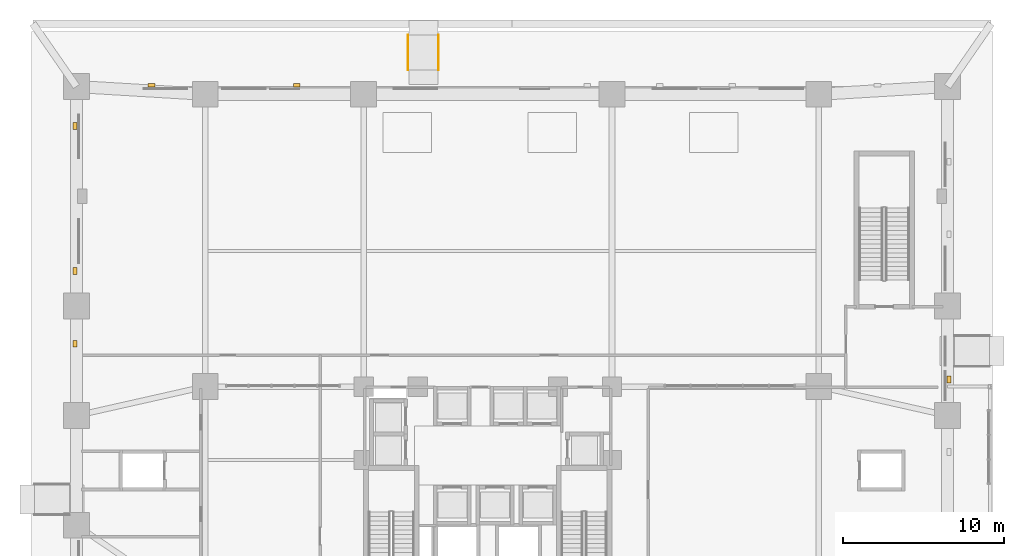
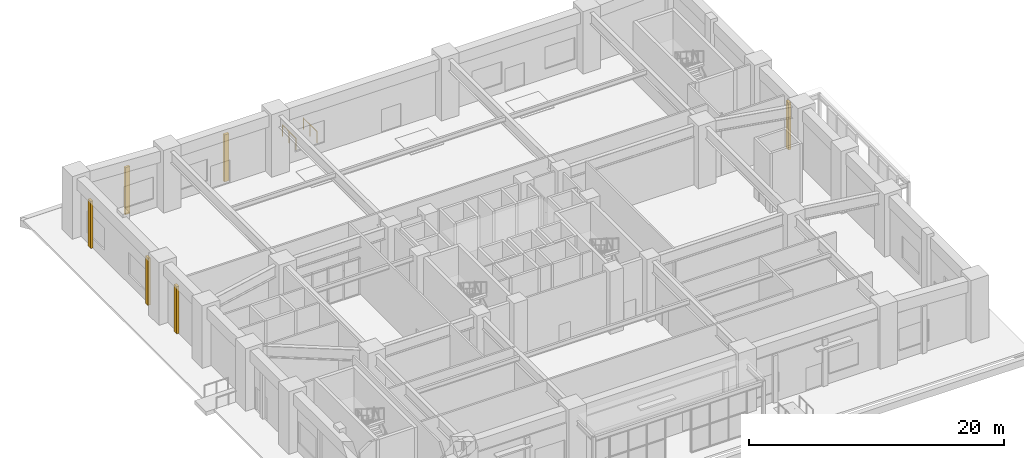
# One storey, part 22 of 24: 6 coverings, 2 railings.
"""IFC4 building model written with IfcOpenShell, lengths in metres."""

import ifcopenshell
import ifcopenshell.guid

model = None  # the IFC model being written
_history = None  # IfcOwnerHistory: only IFC2X3 demands one
_inside = {}  # id of a spatial element -> (the spatial element, [elements in it])
_under = {}  # id of a project, library or spatial element -> (it, [spatial elements below it])
_declared = {}  # id of a project -> (the project, [libraries it declares])
_typed = {}  # id of a type object -> (the type object, [elements of that type])
_made_of = {}  # id of a material, layer set ... -> (it, [elements and type objects made of it])


def new_model(schema):
    """Start an empty IFC model of exactly this schema.

    Asked for "IFC4X3", IfcOpenShell would pick the latest addendum, in which some entities
    have other attributes; the version numbers below select the first issue.
    IFC2X3 requires an IfcOwnerHistory on every rooted entity: one is made here for all.
    """
    global model, _history
    if schema == "IFC4X3":
        model = ifcopenshell.file(schema_version=(4, 3, 0, 0))
    else:
        model = ifcopenshell.file(schema=schema)
    _inside.clear()
    _under.clear()
    _declared.clear()
    _typed.clear()
    _made_of.clear()
    _history = None
    if model.schema == "IFC2X3":
        org = make("IfcOrganization", Name="unknown")
        user = make(
            "IfcPersonAndOrganization",
            ThePerson=make("IfcPerson", FamilyName="unknown"),
            TheOrganization=org,
        )
        app = make(
            "IfcApplication",
            ApplicationDeveloper=org,
            Version="unknown",
            ApplicationFullName="unknown",
            ApplicationIdentifier="unknown",
        )
        _history = make(
            "IfcOwnerHistory",
            OwningUser=user,
            OwningApplication=app,
            ChangeAction="ADDED",
            CreationDate=0,
        )
    return model


def make(cls, **values):
    """One entity of the class cls with the attributes given. An attribute that is None is left unset."""
    return model.create_entity(
        cls, **{name: value for name, value in values.items() if value is not None}
    )


def rooted(cls, **values):
    """An entity with a GlobalId (a new one), such as an element, a storey or a relation."""
    return make(cls, GlobalId=ifcopenshell.guid.new(), OwnerHistory=_history, **values)


def si_unit(unit_type, name, prefix=None):
    """IfcSIUnit, for example si_unit("LENGTHUNIT", "METRE", prefix="MILLI")."""
    return make("IfcSIUnit", UnitType=unit_type, Prefix=prefix, Name=name)


def derived_unit(unit_type, elements):
    """IfcDerivedUnit: a product of units, each with its exponent."""
    return make(
        "IfcDerivedUnit",
        Elements=[
            make("IfcDerivedUnitElement", Unit=unit, Exponent=power)
            for unit, power in elements
        ],
        UnitType=unit_type,
    )


def assignment(units):
    """IfcUnitAssignment: the units of a project."""
    return None if units is None else make("IfcUnitAssignment", Units=units)


def point(xyz):
    """IfcCartesianPoint."""
    return None if xyz is None else make("IfcCartesianPoint", Coordinates=xyz)


def direction(xyz):
    """IfcDirection."""
    return None if xyz is None else make("IfcDirection", DirectionRatios=xyz)


def frame(location, z_axis=None, x_axis=None):
    """IfcAxis2Placement3D, a coordinate frame: its origin and axes. An axis left out is left unset."""
    return make(
        "IfcAxis2Placement3D",
        Location=point(location),
        Axis=direction(z_axis),
        RefDirection=direction(x_axis),
    )


def frame_2d(location, x_axis=None):
    """IfcAxis2Placement2D, a coordinate frame in the plane: its origin and x axis."""
    return make(
        "IfcAxis2Placement2D", Location=point(location), RefDirection=direction(x_axis)
    )


def origin():
    """The frame at (0, 0, 0) with its axes left unset."""
    return frame((0.0, 0.0, 0.0))


def origin_2d():
    """The frame at (0, 0) in the plane with its x axis left unset."""
    return frame_2d((0.0, 0.0))


def place(relative_to, where):
    """IfcLocalPlacement: puts the frame where relative to a parent placement (None: the world)."""
    return make(
        "IfcLocalPlacement", PlacementRelTo=relative_to, RelativePlacement=where
    )


def context(
    kind, dimensions, precision=None, world=None, true_north=None, identifier=None
):
    """IfcGeometricRepresentationContext, for example the 3D "Model" context."""
    return make(
        "IfcGeometricRepresentationContext",
        ContextIdentifier=identifier,
        ContextType=kind,
        CoordinateSpaceDimension=dimensions,
        Precision=precision,
        WorldCoordinateSystem=world,
        TrueNorth=true_north,
    )


def subcontext(parent, identifier, kind, view, scale=None):
    """IfcGeometricRepresentationSubContext, for example "Body" below "Model"."""
    return make(
        "IfcGeometricRepresentationSubContext",
        ContextIdentifier=identifier,
        ContextType=kind,
        ParentContext=parent,
        TargetScale=scale,
        TargetView=view,
    )


def project(units=None, contexts=None):
    """IfcProject with its units and contexts."""
    return rooted(
        "IfcProject",
        Name="project",
        RepresentationContexts=contexts,
        UnitsInContext=assignment(units),
    )


def spatial(cls, under=None, at=None, **own):
    """A site, building, storey or space (cls), placed at a placement, below another one or the project."""
    s = rooted(cls, ObjectPlacement=at, **own)
    if under is not None:
        _under.setdefault(under.id(), (under, []))[1].append(s)
    return s


def profile(cls, at=None, kind="AREA", **sizes):
    """A parametric profile (cls). Its sizes go by their IFC names, for example OverallWidth=200.0."""
    return make(cls, ProfileType=kind, Position=at, **sizes)


def rectangle(**sizes):
    """IfcRectangleProfileDef."""
    return profile("IfcRectangleProfileDef", **sizes)


def circle(**sizes):
    """IfcCircleProfileDef."""
    return profile("IfcCircleProfileDef", **sizes)


def extrude(swept, where, along, depth):
    """IfcExtrudedAreaSolid: the profile swept, set in the frame where, extruded along a direction by depth."""
    return make(
        "IfcExtrudedAreaSolid",
        SweptArea=swept,
        Position=where,
        ExtrudedDirection=direction(along),
        Depth=depth,
    )


def shape(context_of_items, identifier, shape_type, items):
    """IfcShapeRepresentation: the items that make up one representation, for example the "Body"."""
    return make(
        "IfcShapeRepresentation",
        ContextOfItems=context_of_items,
        RepresentationIdentifier=identifier,
        RepresentationType=shape_type,
        Items=items,
    )


def material(Name=None, Category=None):
    """IfcMaterial."""
    return make("IfcMaterial", Name=Name, Category=Category)


def layer(
    of_material, thickness, ventilated=None, Name=None, Category=None, Priority=None
):
    """IfcMaterialLayer: one layer of a wall or slab, of a material (None: an air gap)."""
    return make(
        "IfcMaterialLayer",
        Material=of_material,
        LayerThickness=thickness,
        IsVentilated=ventilated,
        Name=Name,
        Category=Category,
        Priority=Priority,
    )


def layer_set(layers, Name=None):
    """IfcMaterialLayerSet."""
    return make("IfcMaterialLayerSet", MaterialLayers=layers, LayerSetName=Name)


def made_of(thing, what):
    """Note that an element or type object is made of a material, layer set ...; save() writes the relation."""
    if what is not None:
        _made_of.setdefault(what.id(), (what, []))[1].append(thing)
    return thing


def type_object(cls, material=None, **own):
    """A type object (cls), such as IfcWallType, which elements share."""
    return made_of(rooted(cls, **own), material)


def element(
    cls,
    number,
    at=None,
    inside=None,
    cuts=None,
    type_object=None,
    material=None,
    context=None,
    identifier="Body",
    shape_type=None,
    held_by="IfcProductDefinitionShape",
    body=None,
    shapes=None,
    **own,
):
    """One element of the class cls, such as IfcWall. Its Tag is "e" and its number.

    at: its placement. inside: the storey or other place that contains it. cuts: it is an
    opening in that element (IfcRelVoidsElement). A single representation is given by context,
    identifier, shape_type and body (its items); several are given by shapes. held_by: the class
    of the entity that holds the representations. save() writes the other relations.
    """
    e = rooted(cls, Tag="e%d" % number, ObjectPlacement=at, **own)
    if body is not None:
        shapes = [shape(context, identifier, shape_type, body)]
    if shapes is not None:
        e.Representation = make(held_by, Representations=shapes)
    if inside is not None:
        _inside.setdefault(inside.id(), (inside, []))[1].append(e)
    if cuts is not None:
        rooted(
            "IfcRelVoidsElement", RelatingBuildingElement=cuts, RelatedOpeningElement=e
        )
    if type_object is not None:
        _typed.setdefault(type_object.id(), (type_object, []))[1].append(e)
    return made_of(e, material)


def aggregate(whole, parts):
    """IfcRelAggregates: a whole, such as a stair, and the parts it consists of."""
    return rooted("IfcRelAggregates", RelatingObject=whole, RelatedObjects=parts)


def save(model, path):
    """Write the relations noted so far, then the file.

    IfcRelAggregates (storeys below a building ...), IfcRelContainedInSpatialStructure (elements
    in a storey), IfcRelDefinesByType, IfcRelAssociatesMaterial and IfcRelDeclares: one each for
    every whole, place, type object, material and project.
    """
    for whole, parts in _under.values():
        aggregate(whole, parts)
    for where, things in _inside.values():
        rooted(
            "IfcRelContainedInSpatialStructure",
            RelatedElements=things,
            RelatingStructure=where,
        )
    for kind, things in _typed.values():
        rooted("IfcRelDefinesByType", RelatedObjects=things, RelatingType=kind)
    for what, things in _made_of.values():
        rooted("IfcRelAssociatesMaterial", RelatedObjects=things, RelatingMaterial=what)
    for by, libraries in _declared.values():
        rooted("IfcRelDeclares", RelatingContext=by, RelatedDefinitions=libraries)
    model.write(path)


model = new_model("IFC4")

# Units and contexts
model_context = context("Model", 3, precision=1e-05, world=origin(), true_north=direction((0.0, 1.0)))
body_context = subcontext(model_context, "Body", "Model", "MODEL_VIEW")
ifc_project = project(units=[si_unit("LENGTHUNIT", "METRE"), si_unit("AREAUNIT", "SQUARE_METRE"), si_unit("VOLUMEUNIT", "CUBIC_METRE"), si_unit("PLANEANGLEUNIT", "RADIAN"), si_unit("MASSUNIT", "GRAM", prefix="KILO"), derived_unit("THERMALTRANSMITTANCEUNIT", [(si_unit("MASSUNIT", "GRAM", prefix="KILO"), 1), (si_unit("TIMEUNIT", "SECOND"), -3), (si_unit("THERMODYNAMICTEMPERATUREUNIT", "KELVIN"), -1)])], contexts=[model_context])

# Site, building, storey
site_placement = place(None, origin())
site = spatial("IfcSite", under=ifc_project, at=site_placement, CompositionType="ELEMENT")
building_placement = place(site_placement, origin())
building = spatial("IfcBuilding", under=site, at=building_placement, Name="Korrvale Station Residences", CompositionType="ELEMENT")
storey_placement = place(building_placement, origin())
storey = spatial("IfcBuildingStorey", under=building, at=storey_placement, Name="L00", CompositionType="ELEMENT", Elevation=0.0)

# Coverings
ifc_material_1 = material(Name="Architectural precast concrete C45/55", Category="concrete")
ifc_layer = layer(ifc_material_1, 0.219970703125, Name="Architectural precast concrete C45/55")
ifc_layer_set = layer_set([ifc_layer], Name="Architectural precast concrete C45/55")
covering_type = type_object("IfcCoveringType", Name="COV-PIER-400", PredefinedType="CLADDING", material=ifc_layer_set)
for number, where, z_axis, x_axis, name in (
    (1, (4.659912109375, 47.68994140625, 0.02490234375), (0.0, 0.0, 1.0), (1.0, 0.0, 0.0), "L00 Architectural Precast Facade Pier 07"),
    (2, (13.659912109375, 47.68994140625, 0.02490234375), (0.0, 0.0, 1.0), (1.0, 0.0, 0.0), "L00 Architectural Precast Facade Pier 08"),
    (3, (-0.090087890625, 31.659912109375, 0.02490234375), (0.0, 0.0, 1.0), (0.0, 1.0, 0.0), "L00 Architectural Precast Facade Pier 16"),
    (4, (-0.090087890625, 36.159912109375, 0.02490234375), (0.0, 0.0, 1.0), (0.0, 1.0, 0.0), "L00 Architectural Precast Facade Pier 17"),
    (5, (-0.090087890625, 45.159912109375, 0.02490234375), (0.0, 0.0, 1.0), (0.0, 1.0, 0.0), "L00 Architectural Precast Facade Pier 18"),
    (6, (54.090087890625, 29.43994140625, 0.02490234375), (0.0, 0.0, 1.0), (0.0, 1.0, 0.0), "L00 Architectural Precast Facade Pier 21"),
):
    element("IfcCovering", number, at=place(storey_placement, frame(where, z_axis=z_axis, x_axis=x_axis)), inside=storey, type_object=covering_type, Name=name, PredefinedType="CLADDING", context=body_context, shape_type="SweptSolid", body=[
        extrude(rectangle(XDim=0.419921875, YDim=0.219970703125, at=origin_2d()), origin(), (0.0, 0.0, 1.0), 4.514892578125),
    ])

# Railings
ifc_material_2 = material(Name="Brushed stainless-steel accessibility ramp guard-handrail", Category="steel")
railing_type = type_object("IfcRailingType", Name="RLG-RMP-1100", PredefinedType="GUARDRAIL", material=ifc_material_2)
for number, where, name in (
    (7, (20.550048828125, 50.800048828125, 0.0), "Accessible Ramp Guard-Handrail R-ACC-3-A"),
    (8, (22.449951171875, 50.800048828125, 0.0), "Accessible Ramp Guard-Handrail R-ACC-3-B"),
):
    element("IfcRailing", number, at=place(storey_placement, frame(where)), inside=storey, type_object=railing_type, Name=name, PredefinedType="GUARDRAIL", context=body_context, shape_type="SweptSolid", body=[
        extrude(circle(Radius=0.02392578125, at=origin_2d()), frame((0.0, 0.0, 1.076171875), z_axis=(0.0, -1.0, 0.0), x_axis=(1.0, 0.0, 0.0)), (0.0, 0.0, 1.0), 2.16015625),
        extrude(circle(Radius=0.02099609375, at=origin_2d()), origin(), (0.0, 0.0, 1.0), 1.052001953125),
        extrude(circle(Radius=0.02099609375, at=origin_2d()), frame((0.0, -1.080078125, 0.0)), (0.0, 0.0, 1.0), 1.052001953125),
        extrude(circle(Radius=0.02099609375, at=origin_2d()), frame((0.0, -2.16015625, 0.0)), (0.0, 0.0, 1.0), 1.052001953125),
    ])

save(model, "model.ifc")
